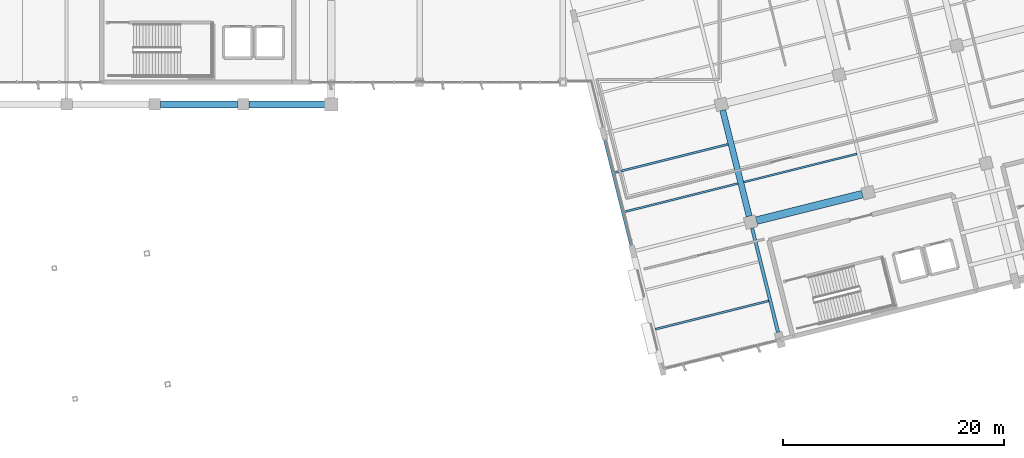
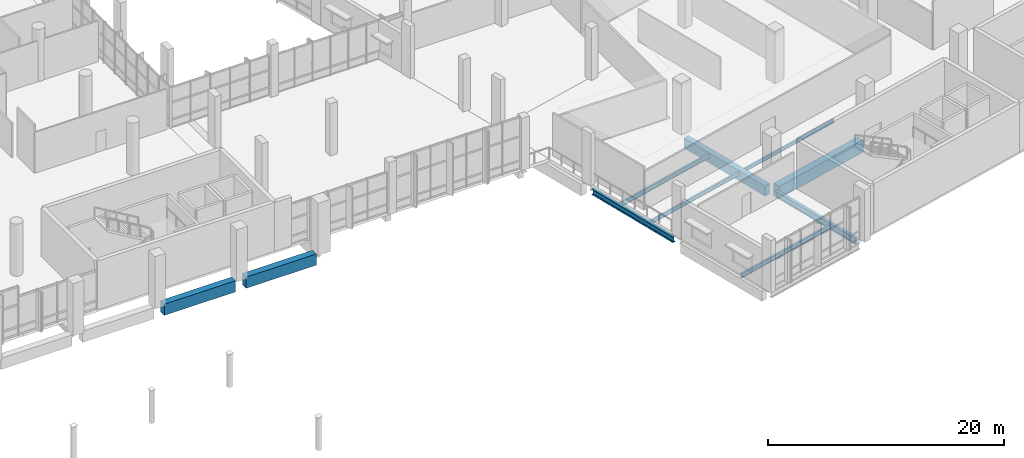
# One storey, part 67 of 176: 10 beams.
"""IFC4 building model written with IfcOpenShell, lengths in metres."""

from ifc_helpers import new_model, si_unit, direction, frame, origin, origin_2d, place, context, subcontext, project, spatial, rectangle, i_section, extrude, material, material_profile, profile_set, type_object, element, save


model = new_model("IFC4")

# Units and contexts
model_context = context("Model", 3, precision=1e-05, world=origin(), true_north=direction((0.0, 1.0)))
body_context = subcontext(model_context, "Body", "Model", "MODEL_VIEW")
ifc_project = project(units=[si_unit("LENGTHUNIT", "METRE"), si_unit("AREAUNIT", "SQUARE_METRE"), si_unit("VOLUMEUNIT", "CUBIC_METRE"), si_unit("PLANEANGLEUNIT", "RADIAN"), si_unit("MASSUNIT", "GRAM", prefix="KILO")], contexts=[model_context])

# Site, building, storey
site_placement = place(None, origin())
site = spatial("IfcSite", under=ifc_project, at=site_placement, CompositionType="ELEMENT")
building_placement = place(site_placement, origin())
building = spatial("IfcBuilding", under=site, at=building_placement, Name="Khorjan Park Terminus", CompositionType="ELEMENT")
storey_placement = place(building_placement, frame((0.0, 0.0, 6.0)))
storey = spatial("IfcBuildingStorey", under=building, at=storey_placement, Name="L01", CompositionType="ELEMENT", Elevation=6.0)

# Beams
ifc_material_1 = material(Name="Steel S355", Category="steel")
ifc_material_profile_1 = material_profile(ifc_material_1, i_section(OverallWidth=0.3, OverallDepth=0.59, WebThickness=0.013, FlangeThickness=0.025, FilletRadius=0.027, at=origin_2d()), Name="HEA 600")
ifc_profile_set_1 = profile_set([ifc_material_profile_1], Name="Steel S355")
beam_type_1 = type_object("IfcBeamType", Name="BM-HEA600", PredefinedType="BEAM", material=ifc_profile_set_1)
beam_1_placement = place(storey_placement, frame((163.207, 13.2021, -0.655), z_axis=(-0.241918252798, 0.970296634521, 0.0), x_axis=(-0.970296634521, -0.241918252798, 0.0)))
element("IfcBeam", 1, at=beam_1_placement, inside=storey, type_object=beam_type_1, Name="Primary skew-grid floor girder SB-A60 (L01)", PredefinedType="BEAM", context=body_context, shape_type="SweptSolid", body=[
    extrude(i_section(OverallWidth=0.3, OverallDepth=0.59, WebThickness=0.013, FlangeThickness=0.025, FilletRadius=0.027, at=origin_2d()), origin(), (0.0, 0.0, 1.0), 9.91),
])
ifc_material_profile_2 = material_profile(ifc_material_1, i_section(OverallWidth=0.3, OverallDepth=0.64, WebThickness=0.0135, FlangeThickness=0.026, FilletRadius=0.027, at=origin_2d()), Name="HEA 650")
ifc_profile_set_2 = profile_set([ifc_material_profile_2], Name="Steel S355")
beam_type_2 = type_object("IfcBeamType", Name="BM-HEA650", PredefinedType="BEAM", material=ifc_profile_set_2)
beam_2_placement = place(storey_placement, frame((176.5051, 5.3355, -0.68), z_axis=(-0.241915999835, 0.970297196236, 0.0), x_axis=(-0.970297196236, -0.241915999835, 0.0)))
element("IfcBeam", 2, at=beam_2_placement, inside=storey, type_object=beam_type_2, Name="Primary skew-grid floor girder SB-A65 (L01)", PredefinedType="BEAM", context=body_context, shape_type="SweptSolid", body=[
    extrude(i_section(OverallWidth=0.3, OverallDepth=0.64, WebThickness=0.0135, FlangeThickness=0.026, FilletRadius=0.027, at=origin_2d()), origin(), (0.0, 0.0, 1.0), 9.76),
])
ifc_material_2 = material(Name="Concrete C40/50", Category="concrete")
ifc_material_profile_3 = material_profile(ifc_material_2, rectangle(XDim=0.55, YDim=1.05, at=origin_2d()), Name="RC 550x1050")
ifc_profile_set_3 = profile_set([ifc_material_profile_3], Name="Concrete C40/50")
beam_type_3 = type_object("IfcBeamType", Name="BM-RC550x1050", PredefinedType="BEAM", material=ifc_profile_set_3)
beam_3_placement = place(storey_placement, frame((173.8803, 15.8632, -0.885), z_axis=(-0.24192775306, 0.970294265828, 0.0), x_axis=(-0.970294265828, -0.24192775306, 0.0)))
element("IfcBeam", 3, at=beam_3_placement, inside=storey, type_object=beam_type_3, Name="Primary skew-grid floor girder GB-105 (L01)", PredefinedType="BEAM", context=body_context, shape_type="SweptSolid", body=[
    extrude(rectangle(XDim=0.55, YDim=1.05, at=origin_2d()), origin(), (0.0, 0.0, 1.0), 9.91),
])
ifc_material_profile_4 = material_profile(ifc_material_2, rectangle(XDim=0.7, YDim=1.25, at=origin_2d()), Name="RC 700x1250")
ifc_profile_set_4 = profile_set([ifc_material_profile_4], Name="Concrete C40/50")
beam_type_4 = type_object("IfcBeamType", Name="BM-RC700x1250", PredefinedType="BEAM", material=ifc_profile_set_4)
beam_4_placement = place(storey_placement, frame((174.5409, 15.4662, -0.985), z_axis=(0.970294856426, 0.241925384349, 0.0), x_axis=(-0.241925384349, 0.970294856426, 0.0)))
element("IfcBeam", 4, at=beam_4_placement, inside=storey, type_object=beam_type_4, Name="Primary skew-grid floor girder GB-125 (L01)", PredefinedType="BEAM", context=body_context, shape_type="SweptSolid", body=[
    extrude(rectangle(XDim=0.7, YDim=1.25, at=origin_2d()), origin(), (0.0, 0.0, 1.0), 9.9101),
])
ifc_material_profile_5 = material_profile(ifc_material_1, i_section(OverallWidth=0.17, OverallDepth=0.36, WebThickness=0.008, FlangeThickness=0.0127, FilletRadius=0.018, at=origin_2d()), Name="IPE 360")
ifc_profile_set_5 = profile_set([ifc_material_profile_5], Name="Steel S355")
beam_type_5 = type_object("IfcBeamType", Name="JS-IPE360", PredefinedType="JOIST", material=ifc_profile_set_5)
beam_5_placement = place(storey_placement, frame((173.3919, 18.9587, -0.54), z_axis=(0.970296385626, 0.241919251074, 0.0), x_axis=(-0.241919251074, 0.970296385626, 0.0)))
element("IfcBeam", 5, at=beam_5_placement, inside=storey, type_object=beam_type_5, Name="Secondary composite floor joist SJ-36 (L01)", PredefinedType="JOIST", context=body_context, shape_type="SweptSolid", body=[
    extrude(i_section(OverallWidth=0.17, OverallDepth=0.36, WebThickness=0.008, FlangeThickness=0.0127, FilletRadius=0.018, at=origin_2d()), origin(), (0.0, 0.0, 1.0), 10.575),
])
ifc_material_profile_6 = material_profile(ifc_material_1, i_section(OverallWidth=0.18, OverallDepth=0.4, WebThickness=0.0086, FlangeThickness=0.0135, FilletRadius=0.021, at=origin_2d()), Name="IPE 400")
ifc_profile_set_6 = profile_set([ifc_material_profile_6], Name="Steel S355")
beam_type_6 = type_object("IfcBeamType", Name="JS-IPE400", PredefinedType="JOIST", material=ifc_profile_set_6)
beam_6_placement = place(storey_placement, frame((162.5973, 16.2673, -0.56), z_axis=(0.970296385626, 0.241919251074, 0.0), x_axis=(-0.241919251074, 0.970296385626, 0.0)))
element("IfcBeam", 6, at=beam_6_placement, inside=storey, type_object=beam_type_6, Name="Secondary composite floor joist SJ-40 (L01)", PredefinedType="JOIST", context=body_context, shape_type="SweptSolid", body=[
    extrude(i_section(OverallWidth=0.18, OverallDepth=0.4, WebThickness=0.0086, FlangeThickness=0.0135, FilletRadius=0.021, at=origin_2d()), origin(), (0.0, 0.0, 1.0), 10.575),
])
ifc_material_profile_7 = material_profile(ifc_material_1, i_section(OverallWidth=0.19, OverallDepth=0.45, WebThickness=0.0094, FlangeThickness=0.0146, FilletRadius=0.021, at=origin_2d()), Name="IPE 450")
ifc_profile_set_7 = profile_set([ifc_material_profile_7], Name="Steel S355")
beam_type_7 = type_object("IfcBeamType", Name="JS-IPE450", PredefinedType="JOIST", material=ifc_profile_set_7)
for number, where, z_axis, x_axis, name in (
    (7, (165.3798, 5.6243, -0.585), (0.970296385626, 0.241919251074, 0.0), (-0.241919251074, 0.970296385626, 0.0), "Secondary composite floor joist SJ-45 (L01)"),
    (8, (161.7103, 19.825, -0.585), (0.970296385626, 0.241919251074, 0.0), (-0.241919251074, 0.970296385626, 0.0), "Secondary composite floor joist SJ-45 (L01)"),
):
    element("IfcBeam", number, at=place(storey_placement, frame(where, z_axis=z_axis, x_axis=x_axis)), inside=storey, type_object=beam_type_7, Name=name, PredefinedType="JOIST", context=body_context, shape_type="SweptSolid", body=[
        extrude(i_section(OverallWidth=0.19, OverallDepth=0.45, WebThickness=0.0094, FlangeThickness=0.0146, FilletRadius=0.021, at=origin_2d()), origin(), (0.0, 0.0, 1.0), 10.575),
    ])
ifc_material_3 = material(Name="Concrete C50/60", Category="concrete")
ifc_material_profile_8 = material_profile(ifc_material_3, rectangle(XDim=0.65, YDim=1.15, at=origin_2d()), Name="RC 650x1150")
ifc_profile_set_8 = profile_set([ifc_material_profile_8], Name="Concrete C50/60")
beam_type_8 = type_object("IfcBeamType", Name="SP-RC650x1150", PredefinedType="SPANDREL", material=ifc_profile_set_8)
beam_7_placement = place(storey_placement, frame((120.52, 26.0, -0.575), z_axis=(1.0, 0.0, 0.0), x_axis=(0.0, 1.0, 0.0)))
element("IfcBeam", 9, at=beam_7_placement, inside=storey, type_object=beam_type_8, Name="Concourse lower colonnade ring beam SP-11 (L01-19)", PredefinedType="SPANDREL", context=body_context, shape_type="SweptSolid", body=[
    extrude(rectangle(XDim=0.65, YDim=1.15, at=origin_2d()), origin(), (0.0, 0.0, 1.0), 6.96),
])
beam_8_placement = place(storey_placement, frame((128.52, 26.0, -0.575), z_axis=(1.0, 0.0, 0.0), x_axis=(0.0, 1.0, 0.0)))
element("IfcBeam", 10, at=beam_8_placement, inside=storey, type_object=beam_type_8, Name="Concourse lower colonnade ring beam SP-11 (L01-21)", PredefinedType="SPANDREL", context=body_context, shape_type="SweptSolid", body=[
    extrude(rectangle(XDim=0.65, YDim=1.15, at=origin_2d()), origin(), (0.0, 0.0, 1.0), 6.885),
])

save(model, "model.ifc")
